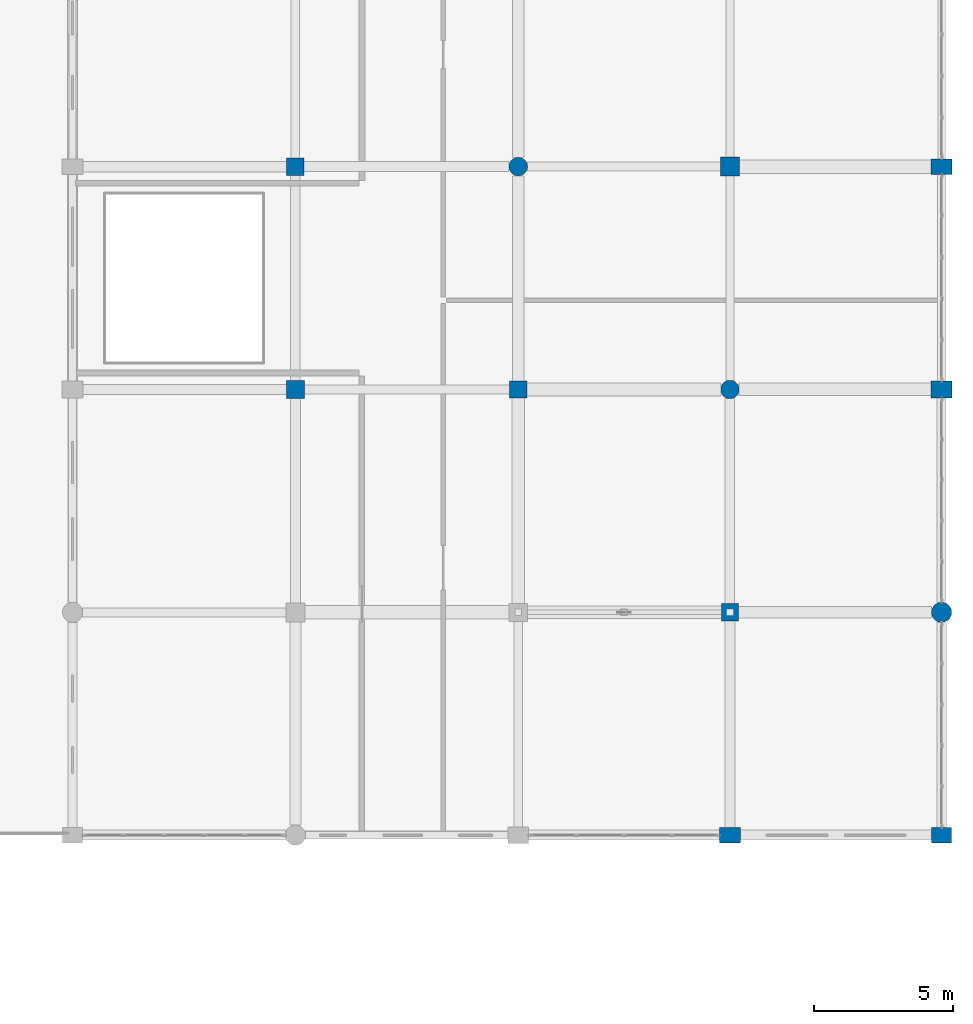
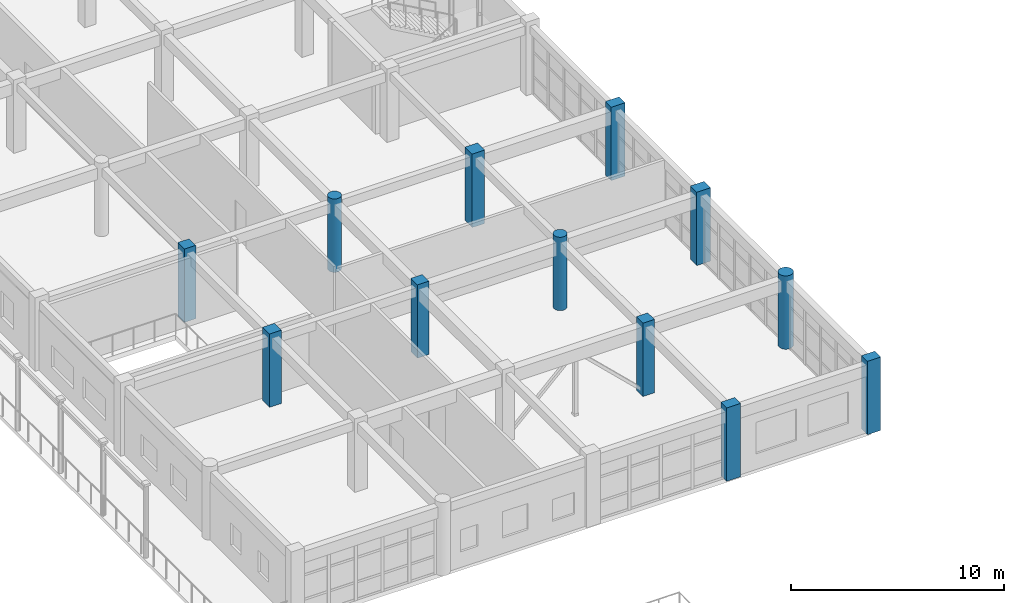
# One storey, part 26 of 195: 12 columns.
"""IFC4 building model written with IfcOpenShell, lengths in metres."""

from ifc_helpers import new_model, si_unit, direction, frame, origin, origin_2d, place, context, subcontext, project, spatial, rectangle, circle, extrude, material, material_profile, profile_set, type_object, element, save


model = new_model("IFC4")

# Units and contexts
model_context = context("Model", 3, precision=1e-05, world=origin(), true_north=direction((0.0, 1.0)))
body_context = subcontext(model_context, "Body", "Model", "MODEL_VIEW")
ifc_project = project(units=[si_unit("LENGTHUNIT", "METRE"), si_unit("AREAUNIT", "SQUARE_METRE"), si_unit("VOLUMEUNIT", "CUBIC_METRE"), si_unit("PLANEANGLEUNIT", "RADIAN"), si_unit("MASSUNIT", "GRAM", prefix="KILO")], contexts=[model_context])

# Site, building, storey
site_placement = place(None, origin())
site = spatial("IfcSite", under=ifc_project, at=site_placement, CompositionType="ELEMENT")
building_placement = place(site_placement, origin())
building = spatial("IfcBuilding", under=site, at=building_placement, Name="Kharva Crest Polytechnic", CompositionType="ELEMENT")
storey_placement = place(building_placement, frame((0.0, 0.0, 9.0)))
storey = spatial("IfcBuildingStorey", under=building, at=storey_placement, Name="L02", CompositionType="ELEMENT", Elevation=9.0)

# Columns
ifc_material = material(Name="Concrete C40/50", Category="concrete")
ifc_material_profile_1 = material_profile(ifc_material, rectangle(XDim=0.719970703125, YDim=0.550048828125, at=origin_2d()), Name="RECT 720 X 550")
ifc_profile_set_1 = profile_set([ifc_material_profile_1], Name="Concrete C40/50")
column_type_1 = type_object("IfcColumnType", Name="COL-EXT-720X550", PredefinedType="COLUMN", material=ifc_profile_set_1)
column_1_placement = place(storey_placement, frame((184.0, 38.800048828125, 0.0), z_axis=(0.0, 0.0, 1.0), x_axis=(1.0, 0.0, 0.0)))
element("IfcColumn", 1, at=column_1_placement, inside=storey, type_object=column_type_1, Name="L02 Column 24/FJ", PredefinedType="COLUMN", context=body_context, shape_type="SweptSolid", body=[
    extrude(rectangle(XDim=0.719970703125, YDim=0.550048828125, at=origin_2d()), origin(), (0.0, 0.0, 1.0), 4.199951171875),
])
ifc_material_profile_2 = material_profile(ifc_material, rectangle(XDim=0.75, YDim=0.550048828125, at=origin_2d()), Name="RECT 750 X 550")
ifc_profile_set_2 = profile_set([ifc_material_profile_2], Name="Concrete C40/50")
column_type_2 = type_object("IfcColumnType", Name="COL-EXT-750X550", PredefinedType="COLUMN", material=ifc_profile_set_2)
for number, where, z_axis, x_axis, name in (
    (2, (176.39990234375, 38.800048828125, 0.0), (0.0, 0.0, 1.0), (1.0, 0.0, 0.0), "L02 Column 23/FJ"),
    (3, (184.0, 62.800048828125, 0.0), (0.0, 0.0, 1.0), (1.0, 0.0, 0.0), "L02 Column 24/J"),
):
    element("IfcColumn", number, at=place(storey_placement, frame(where, z_axis=z_axis, x_axis=x_axis)), inside=storey, type_object=column_type_2, Name=name, PredefinedType="COLUMN", context=body_context, shape_type="SweptSolid", body=[
        extrude(rectangle(XDim=0.75, YDim=0.550048828125, at=origin_2d()), origin(), (0.0, 0.0, 1.0), 4.199951171875),
    ])
ifc_material_profile_3 = material_profile(ifc_material, rectangle(XDim=0.75, YDim=0.60009765625, at=origin_2d()), Name="RECT 750 X 600")
ifc_profile_set_3 = profile_set([ifc_material_profile_3], Name="Concrete C40/50")
column_type_3 = type_object("IfcColumnType", Name="COL-EXT-750X600", PredefinedType="COLUMN", material=ifc_profile_set_3)
column_2_placement = place(storey_placement, frame((184.0, 54.800048828125, 0.0), z_axis=(0.0, 0.0, 1.0), x_axis=(1.0, 0.0, 0.0)))
element("IfcColumn", 4, at=column_2_placement, inside=storey, type_object=column_type_3, Name="L02 Column 24/H", PredefinedType="COLUMN", context=body_context, shape_type="SweptSolid", body=[
    extrude(rectangle(XDim=0.75, YDim=0.60009765625, at=origin_2d()), origin(), (0.0, 0.0, 1.0), 4.199951171875),
])
ifc_material_profile_4 = material_profile(ifc_material, circle(Radius=0.360107421875, at=origin_2d()), Name="DIA 720")
ifc_profile_set_4 = profile_set([ifc_material_profile_4], Name="Concrete C40/50")
column_type_4 = type_object("IfcColumnType", Name="COL-EXT-DIA720", PredefinedType="COLUMN", material=ifc_profile_set_4)
column_3_placement = place(storey_placement, frame((184.0, 46.800048828125, 0.0), z_axis=(0.0, 0.0, 1.0), x_axis=(1.0, 0.0, 0.0)))
element("IfcColumn", 5, at=column_3_placement, inside=storey, type_object=column_type_4, Name="L02 Column 24/G", PredefinedType="COLUMN", context=body_context, shape_type="SweptSolid", body=[
    extrude(circle(Radius=0.360107421875, at=origin_2d()), origin(), (0.0, 0.0, 1.0), 4.199951171875),
])
ifc_material_profile_5 = material_profile(ifc_material, rectangle(XDim=0.6201171875, YDim=0.6201171875, at=origin_2d()), Name="RECT 620 X 620")
ifc_profile_set_5 = profile_set([ifc_material_profile_5], Name="Concrete C40/50")
column_type_5 = type_object("IfcColumnType", Name="COL-INT-620X620", PredefinedType="COLUMN", material=ifc_profile_set_5)
for number, where, z_axis, x_axis, name in (
    (6, (160.800048828125, 62.800048828125, 0.0), (0.0, 0.0, 1.0), (1.0, 0.0, 0.0), "L02 Column 21/J"),
    (7, (168.800048828125, 54.800048828125, 0.0), (0.0, 0.0, 1.0), (1.0, 0.0, 0.0), "L02 Column 22/H"),
    (8, (176.39990234375, 46.800048828125, 0.0), (0.0, 0.0, 1.0), (1.0, 0.0, 0.0), "L02 Column 23/G"),
):
    element("IfcColumn", number, at=place(storey_placement, frame(where, z_axis=z_axis, x_axis=x_axis)), inside=storey, type_object=column_type_5, Name=name, PredefinedType="COLUMN", context=body_context, shape_type="SweptSolid", body=[
        extrude(rectangle(XDim=0.6201171875, YDim=0.6201171875, at=origin_2d()), origin(), (0.0, 0.0, 1.0), 4.199951171875),
    ])
ifc_material_profile_6 = material_profile(ifc_material, rectangle(XDim=0.64990234375, YDim=0.64990234375, at=origin_2d()), Name="RECT 650 X 650")
ifc_profile_set_6 = profile_set([ifc_material_profile_6], Name="Concrete C40/50")
column_type_6 = type_object("IfcColumnType", Name="COL-INT-650X650", PredefinedType="COLUMN", material=ifc_profile_set_6)
column_4_placement = place(storey_placement, frame((160.800048828125, 54.800048828125, 0.0), z_axis=(0.0, 0.0, 1.0), x_axis=(1.0, 0.0, 0.0)))
element("IfcColumn", 9, at=column_4_placement, inside=storey, type_object=column_type_6, Name="L02 Column 21/H", PredefinedType="COLUMN", context=body_context, shape_type="SweptSolid", body=[
    extrude(rectangle(XDim=0.64990234375, YDim=0.64990234375, at=origin_2d()), origin(), (0.0, 0.0, 1.0), 4.199951171875),
])
ifc_material_profile_7 = material_profile(ifc_material, rectangle(XDim=0.679931640625, YDim=0.679931640625, at=origin_2d()), Name="RECT 680 X 680")
ifc_profile_set_7 = profile_set([ifc_material_profile_7], Name="Concrete C40/50")
column_type_7 = type_object("IfcColumnType", Name="COL-INT-680X680", PredefinedType="COLUMN", material=ifc_profile_set_7)
column_5_placement = place(storey_placement, frame((176.39990234375, 62.800048828125, 0.0), z_axis=(0.0, 0.0, 1.0), x_axis=(1.0, 0.0, 0.0)))
element("IfcColumn", 10, at=column_5_placement, inside=storey, type_object=column_type_7, Name="L02 Column 23/J", PredefinedType="COLUMN", context=body_context, shape_type="SweptSolid", body=[
    extrude(rectangle(XDim=0.679931640625, YDim=0.679931640625, at=origin_2d()), origin(), (0.0, 0.0, 1.0), 4.199951171875),
])
ifc_material_profile_8 = material_profile(ifc_material, circle(Radius=0.330078125, at=origin_2d()), Name="DIA 660")
ifc_profile_set_8 = profile_set([ifc_material_profile_8], Name="Concrete C40/50")
column_type_8 = type_object("IfcColumnType", Name="COL-INT-DIA660", PredefinedType="COLUMN", material=ifc_profile_set_8)
for number, where, z_axis, x_axis, name in (
    (11, (168.800048828125, 62.800048828125, 0.0), (0.0, 0.0, 1.0), (1.0, 0.0, 0.0), "L02 Column 22/J"),
    (12, (176.39990234375, 54.800048828125, 0.0), (0.0, 0.0, 1.0), (1.0, 0.0, 0.0), "L02 Column 23/H"),
):
    element("IfcColumn", number, at=place(storey_placement, frame(where, z_axis=z_axis, x_axis=x_axis)), inside=storey, type_object=column_type_8, Name=name, PredefinedType="COLUMN", context=body_context, shape_type="SweptSolid", body=[
        extrude(circle(Radius=0.330078125, at=origin_2d()), origin(), (0.0, 0.0, 1.0), 4.199951171875),
    ])

save(model, "model.ifc")
